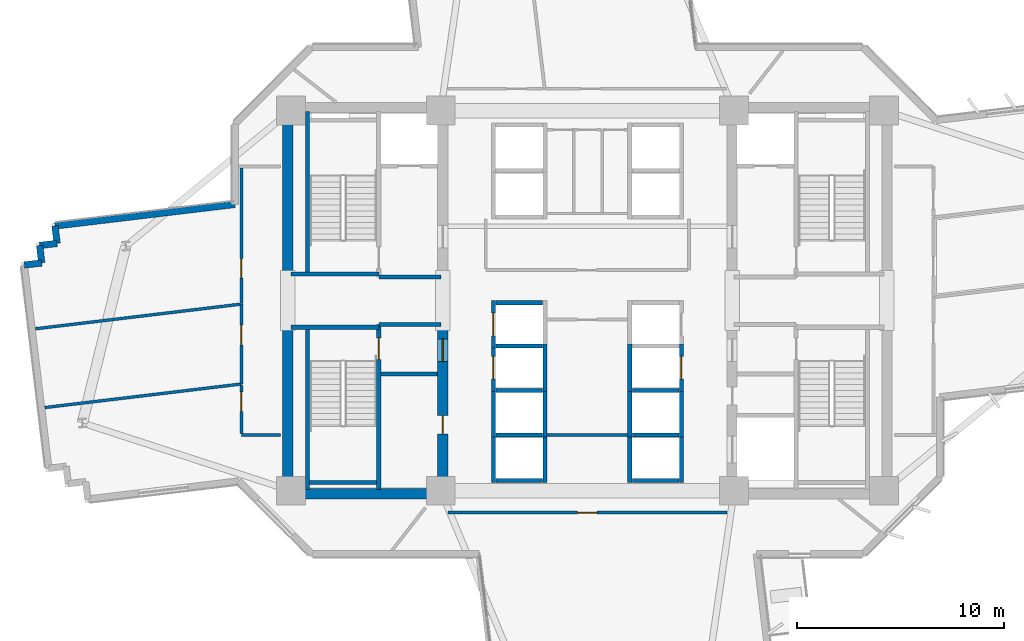
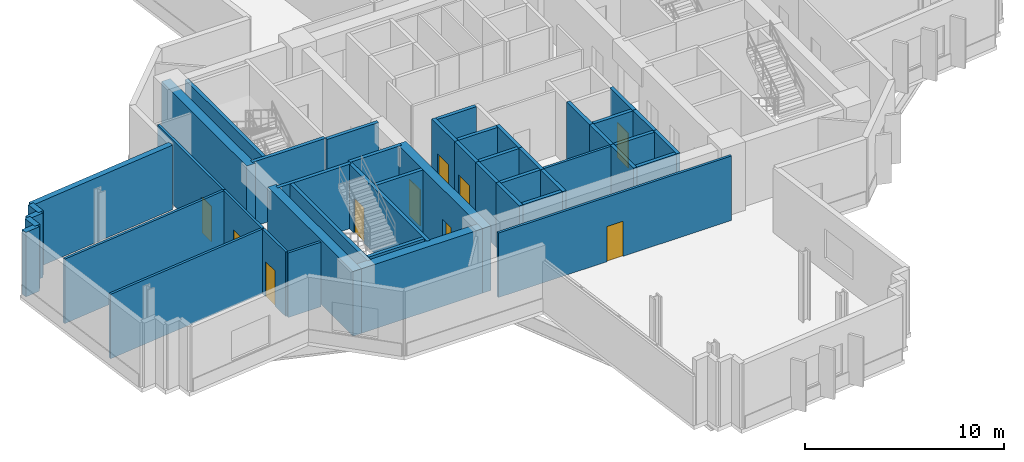
# One storey, part 6 of 15: 47 walls, 10 doors, 10 openings.
"""IFC4 building model written with IfcOpenShell, lengths in metres."""

from ifc_helpers import new_model, si_unit, direction, frame, frame_2d, origin, place, context, subcontext, project, spatial, rectangle, extrude, source, transform, mapped, material, layer, layer_set, type_object, element, fill, save


model = new_model("IFC4")

# Units and contexts
model_context = context("Model", 3, precision=1e-05, world=origin(), true_north=direction((0.0, 1.0)))
body_context = subcontext(model_context, "Body", "Model", "MODEL_VIEW")
ifc_project = project(units=[si_unit("LENGTHUNIT", "METRE"), si_unit("AREAUNIT", "SQUARE_METRE"), si_unit("VOLUMEUNIT", "CUBIC_METRE"), si_unit("PLANEANGLEUNIT", "RADIAN"), si_unit("MASSUNIT", "GRAM", prefix="KILO")], contexts=[model_context])

# Site, building, storey
site_placement = place(None, origin())
site = spatial("IfcSite", under=ifc_project, at=site_placement, CompositionType="ELEMENT")
building_placement = place(site_placement, origin())
building = spatial("IfcBuilding", under=site, at=building_placement, Name="Zahravan Cultural Tower", CompositionType="ELEMENT")
storey_placement = place(building_placement, frame((0.0, 0.0, 104.699951171875)))
storey = spatial("IfcBuildingStorey", under=building, at=storey_placement, Name="L23", CompositionType="ELEMENT", Elevation=104.699951171875)

# Wall, openings, doors
ifc_material_1 = material(Name="Concrete C60/75", Category="concrete")
ifc_layer_1 = layer(ifc_material_1, 0.5)
ifc_layer_set_1 = layer_set([ifc_layer_1], Name="Concrete C60/75")
wall_type_1 = type_object("IfcWallType", Name="CW-SHEAR-500-C60", PredefinedType="SHEAR", material=ifc_layer_set_1)
wall_1_placement = place(storey_placement, frame((29.0, 17.39990234375, 0.0), z_axis=(0.0, 0.0, 1.0), x_axis=(0.0, 1.0, 0.0)))
wall_1 = element("IfcWall", 1, at=wall_1_placement, inside=storey, type_object=wall_type_1, Name="L23 Core Shear Wall CW-W-ES-L23", PredefinedType="SHEAR", context=body_context, shape_type="SweptSolid", body=[
    extrude(rectangle(XDim=8.550048828125, YDim=0.5, at=frame_2d((4.27490234375, 0.0))), origin(), (0.0, 0.0, 1.0), 3.949951171875),
])
opening_1_placement = place(wall_1_placement, frame((6.64990234375, 0.0, 0.0)))
opening_1 = element("IfcOpeningElement", 2, at=opening_1_placement, cuts=wall_1, Name="Opening D-L23-07", PredefinedType="OPENING", context=body_context, shape_type="SweptSolid", body=[
    extrude(rectangle(XDim=1.10009765625, YDim=2.199951171875, at=frame_2d((0.550048828125, 1.10009765625))), frame((0.0, 0.260009765625, 0.0), z_axis=(0.0, -1.0, 0.0), x_axis=(1.0, 0.0, 0.0)), (0.0, 0.0, 1.0), 0.52001953125),
])
opening_2_placement = place(wall_1_placement, frame((3.14990234375, 0.0, 0.0)))
opening_2 = element("IfcOpeningElement", 3, at=opening_2_placement, cuts=wall_1, Name="Opening D-L23-09", PredefinedType="OPENING", context=body_context, shape_type="SweptSolid", body=[
    extrude(rectangle(XDim=0.8798828125, YDim=2.10009765625, at=frame_2d((0.43994140625, 1.050048828125))), frame((0.0, 0.260009765625, 0.0), z_axis=(0.0, -1.0, 0.0), x_axis=(1.0, 0.0, 0.0)), (0.0, 0.0, 1.0), 0.52001953125),
])
ifc_material_2 = material(Name="Steel ASTM A572 Grade 50", Category="steel")
door_type_1 = type_object("IfcDoorType", Name="DR-LOBBY-1100", OperationType="NOTDEFINED", PredefinedType="DOOR", material=ifc_material_2)
shared_shape_1 = source(origin(), body_context, "Body", "SweptSolid", [
    extrude(rectangle(XDim=1.10009765625, YDim=2.199951171875, at=frame_2d((0.550048828125, 1.10009765625))), frame((0.0, 0.02490234375, 0.0), z_axis=(0.0, -1.0, 0.0), x_axis=(1.0, 0.0, 0.0)), (0.0, 0.0, 1.0), 0.050048828125),
])
door_1_placement = place(opening_1_placement, origin())
door_1 = element("IfcDoor", 4, at=door_1_placement, inside=storey, type_object=door_type_1, Name="L23 Door D-L23-07", OperationType="SINGLE_SWING_RIGHT", OverallHeight=2.199951171875, OverallWidth=1.10009765625, PredefinedType="DOOR", context=body_context, shape_type="MappedRepresentation", body=[
    mapped(shared_shape_1, transform((0.0, 0.0, 0.0), x_axis=(1.0, 0.0, 0.0), y_axis=(0.0, 1.0, 0.0), z_axis=(0.0, 0.0, 1.0), scale=1.0)),
])
fill(opening_1, door_1)
door_type_2 = type_object("IfcDoorType", Name="DR-SVC-880", OperationType="NOTDEFINED", PredefinedType="DOOR", material=ifc_material_2)
shared_shape_2 = source(origin(), body_context, "Body", "SweptSolid", [
    extrude(rectangle(XDim=0.8798828125, YDim=2.10009765625, at=frame_2d((0.43994140625, 1.050048828125))), frame((0.0, 0.02490234375, 0.0), z_axis=(0.0, -1.0, 0.0), x_axis=(1.0, 0.0, 0.0)), (0.0, 0.0, 1.0), 0.050048828125),
])
door_2_placement = place(opening_2_placement, origin())
door_2 = element("IfcDoor", 5, at=door_2_placement, inside=storey, type_object=door_type_2, Name="L23 Door D-L23-09", OperationType="SINGLE_SWING_RIGHT", OverallHeight=2.10009765625, OverallWidth=0.8798828125, PredefinedType="DOOR", context=body_context, shape_type="MappedRepresentation", body=[
    mapped(shared_shape_2, transform((0.0, 0.0, 0.0), x_axis=(1.0, 0.0, 0.0), y_axis=(0.0, 1.0, 0.0), z_axis=(0.0, 0.0, 1.0), scale=1.0)),
])
fill(opening_2, door_2)

# Wall, opening, door
ifc_material_3 = material(Name="Gypsum plasterboard partition")
ifc_layer_2 = layer(ifc_material_3, 0.139892578125)
ifc_layer_set_2 = layer_set([ifc_layer_2], Name="Gypsum plasterboard partition")
wall_type_2 = type_object("IfcWallType", Name="W-PART-140", PredefinedType="PARTITIONING", material=ifc_layer_set_2)
wall_2_placement = place(storey_placement, frame((19.25, 26.833984375, 0.0), z_axis=(0.0, 0.0, 1.0), x_axis=(0.0, -1.0, 0.0)))
wall_2 = element("IfcWall", 6, at=wall_2_placement, inside=storey, type_object=wall_type_2, Name="L23 Interior Wall 082", PredefinedType="PARTITIONING", context=body_context, shape_type="SweptSolid", body=[
    extrude(rectangle(XDim=3.86767578125, YDim=0.139892578125, at=frame_2d((1.933837890625, 0.0))), origin(), (0.0, 0.0, 1.0), 3.949951171875),
])
opening_3_placement = place(wall_2_placement, frame((1.02099609375, 0.0, 0.0)))
opening_3 = element("IfcOpeningElement", 7, at=opening_3_placement, cuts=wall_2, Name="Opening D-L23-22", PredefinedType="OPENING", context=body_context, shape_type="SweptSolid", body=[
    extrude(rectangle(XDim=0.949951171875, YDim=2.14990234375, at=frame_2d((0.47509765625, 1.074951171875))), frame((0.0, 0.079833984375, 0.0), z_axis=(0.0, -1.0, 0.0), x_axis=(1.0, 0.0, 0.0)), (0.0, 0.0, 1.0), 0.159912109375),
])
ifc_material_4 = material(Name="Anodised bronze-aluminium mullion", Category="aluminium")
door_type_3 = type_object("IfcDoorType", Name="DR-ROOM-950", OperationType="NOTDEFINED", PredefinedType="DOOR", material=ifc_material_4)
shared_shape_3 = source(origin(), body_context, "Body", "SweptSolid", [
    extrude(rectangle(XDim=0.949951171875, YDim=2.14990234375, at=frame_2d((0.47509765625, 1.074951171875))), frame((0.0, 0.02490234375, 0.0), z_axis=(0.0, -1.0, 0.0), x_axis=(1.0, 0.0, 0.0)), (0.0, 0.0, 1.0), 0.050048828125),
])
door_3_placement = place(opening_3_placement, origin())
door_3 = element("IfcDoor", 8, at=door_3_placement, inside=storey, type_object=door_type_3, Name="L23 Door D-L23-22", OperationType="SINGLE_SWING_LEFT", OverallHeight=2.14990234375, OverallWidth=0.949951171875, PredefinedType="DOOR", context=body_context, shape_type="MappedRepresentation", body=[
    mapped(shared_shape_3, transform((0.0, 0.0, 0.0), x_axis=(1.0, 0.0, 0.0), y_axis=(0.0, 1.0, 0.0), z_axis=(0.0, 0.0, 1.0), scale=1.0)),
])
fill(opening_3, door_3)

wall_3_placement = place(storey_placement, frame((19.252685546875, 33.422607421875, 0.0), z_axis=(0.0, 0.0, 1.0), x_axis=(-0.000408845905, -0.999999916423, 0.0)))
wall_3 = element("IfcWall", 9, at=wall_3_placement, inside=storey, type_object=wall_type_2, Name="L23 Interior Wall 086", PredefinedType="PARTITIONING", context=body_context, shape_type="SweptSolid", body=[
    extrude(rectangle(XDim=6.568603515625, YDim=0.139892578125, at=frame_2d((3.2841796875, 0.0))), origin(), (0.0, 0.0, 1.0), 3.949951171875),
])
opening_4_placement = place(wall_3_placement, frame((4.38232421875, 0.0, 0.0)))
opening_4 = element("IfcOpeningElement", 10, at=opening_4_placement, cuts=wall_3, Name="Opening D-L23-21", PredefinedType="OPENING", context=body_context, shape_type="SweptSolid", body=[
    extrude(rectangle(XDim=0.949951171875, YDim=2.14990234375, at=frame_2d((0.47509765625, 1.074951171875))), frame((0.0, 0.079833984375, 0.0), z_axis=(0.0, -1.0, 0.0), x_axis=(1.0, 0.0, 0.0)), (0.0, 0.0, 1.0), 0.159912109375),
])
door_4_placement = place(opening_4_placement, origin())
door_4 = element("IfcDoor", 11, at=door_4_placement, inside=storey, type_object=door_type_3, Name="L23 Door D-L23-21", OperationType="SINGLE_SWING_RIGHT", OverallHeight=2.14990234375, OverallWidth=0.949951171875, PredefinedType="DOOR", context=body_context, shape_type="MappedRepresentation", body=[
    mapped(shared_shape_3, transform((0.0, 0.0, 0.0), x_axis=(1.0, 0.0, 0.0), y_axis=(0.0, 1.0, 0.0), z_axis=(0.0, 0.0, 1.0), scale=1.0)),
])
fill(opening_4, door_4)

wall_4_placement = place(storey_placement, frame((19.25, 22.890869140625, 0.0), z_axis=(0.0, 0.0, 1.0), x_axis=(0.001476168784, -0.999998910462, 0.0)))
wall_4 = element("IfcWall", 12, at=wall_4_placement, inside=storey, type_object=wall_type_2, Name="L23 Interior Wall 096", PredefinedType="PARTITIONING", context=body_context, shape_type="SweptSolid", body=[
    extrude(rectangle(XDim=2.3154296875, YDim=0.139892578125, at=frame_2d((1.15771484375, 0.0))), origin(), (0.0, 0.0, 1.0), 3.949951171875),
])
opening_5_placement = place(wall_4_placement, frame((0.30029296875, 0.0, 0.0)))
opening_5 = element("IfcOpeningElement", 13, at=opening_5_placement, cuts=wall_4, Name="Opening D-L23-23", PredefinedType="OPENING", context=body_context, shape_type="SweptSolid", body=[
    extrude(rectangle(XDim=0.949951171875, YDim=2.14990234375, at=frame_2d((0.47509765625, 1.074951171875))), frame((0.0, 0.079833984375, 0.0), z_axis=(0.0, -1.0, 0.0), x_axis=(1.0, 0.0, 0.0)), (0.0, 0.0, 1.0), 0.159912109375),
])
door_5_placement = place(opening_5_placement, origin())
door_5 = element("IfcDoor", 14, at=door_5_placement, inside=storey, type_object=door_type_3, Name="L23 Door D-L23-23", OperationType="SINGLE_SWING_RIGHT", OverallHeight=2.14990234375, OverallWidth=0.949951171875, PredefinedType="DOOR", context=body_context, shape_type="MappedRepresentation", body=[
    mapped(shared_shape_3, transform((0.0, 0.0, 0.0), x_axis=(1.0, 0.0, 0.0), y_axis=(0.0, 1.0, 0.0), z_axis=(0.0, 0.0, 1.0), scale=1.0)),
])
fill(opening_5, door_5)

wall_5_placement = place(storey_placement, frame((29.255859375, 16.739990234375, 0.0), z_axis=(0.0, 0.0, 1.0), x_axis=(1.0, 0.0, 0.0)))
wall_5 = element("IfcWall", 15, at=wall_5_placement, inside=storey, type_object=wall_type_2, Name="L23 Interior Wall 100", PredefinedType="PARTITIONING", context=body_context, shape_type="SweptSolid", body=[
    extrude(rectangle(XDim=13.48828125, YDim=0.139892578125, at=frame_2d((6.744140625, 0.0))), origin(), (0.0, 0.0, 1.0), 3.949951171875),
])
opening_6_placement = place(wall_5_placement, frame((6.26904296875, 0.0, 0.0)))
opening_6 = element("IfcOpeningElement", 16, at=opening_6_placement, cuts=wall_5, Name="Opening D-L23-24", PredefinedType="OPENING", context=body_context, shape_type="SweptSolid", body=[
    extrude(rectangle(XDim=0.949951171875, YDim=2.14990234375, at=frame_2d((0.47509765625, 1.074951171875))), frame((0.0, 0.079833984375, 0.0), z_axis=(0.0, -1.0, 0.0), x_axis=(1.0, 0.0, 0.0)), (0.0, 0.0, 1.0), 0.159912109375),
])
door_6_placement = place(opening_6_placement, origin())
door_6 = element("IfcDoor", 17, at=door_6_placement, inside=storey, type_object=door_type_3, Name="L23 Door D-L23-24", OperationType="SINGLE_SWING_LEFT", OverallHeight=2.14990234375, OverallWidth=0.949951171875, PredefinedType="DOOR", context=body_context, shape_type="MappedRepresentation", body=[
    mapped(shared_shape_3, transform((0.0, 0.0, 0.0), x_axis=(1.0, 0.0, 0.0), y_axis=(0.0, 1.0, 0.0), z_axis=(0.0, 0.0, 1.0), scale=1.0)),
])
fill(opening_6, door_6)

ifc_material_5 = material(Name="Concrete C45/55", Category="concrete")
ifc_layer_3 = layer(ifc_material_5, 0.199951171875)
ifc_layer_set_3 = layer_set([ifc_layer_3], Name="Concrete C45/55")
wall_type_3 = type_object("IfcWallType", Name="W-SHAFT-200", PredefinedType="SOLIDWALL", material=ifc_layer_set_3)
wall_6_placement = place(storey_placement, frame((25.89990234375, 17.85009765625, 0.0), z_axis=(0.0, 0.0, 1.0), x_axis=(0.0, 1.0, 0.0)))
wall_6 = element("IfcWall", 18, at=wall_6_placement, inside=storey, type_object=wall_type_3, Name="L23 Interior Wall 005", PredefinedType="SOLIDWALL", context=body_context, shape_type="SweptSolid", body=[
    extrude(rectangle(XDim=8.0, YDim=0.199951171875, at=frame_2d((4.0, 0.0))), origin(), (0.0, 0.0, 1.0), 3.949951171875),
])
opening_7_placement = place(wall_6_placement, frame((6.300048828125, 0.0, 0.0)))
opening_7 = element("IfcOpeningElement", 19, at=opening_7_placement, cuts=wall_6, Name="Opening D-L23-04", PredefinedType="OPENING", context=body_context, shape_type="SweptSolid", body=[
    extrude(rectangle(XDim=1.050048828125, YDim=2.14990234375, at=frame_2d((0.52490234375, 1.074951171875))), frame((0.0, 0.10986328125, 0.0), z_axis=(0.0, -1.0, 0.0), x_axis=(1.0, 0.0, 0.0)), (0.0, 0.0, 1.0), 0.219970703125),
])
door_type_4 = type_object("IfcDoorType", Name="DR-STAIR-1050", OperationType="NOTDEFINED", PredefinedType="DOOR", material=ifc_material_2)
shared_shape_4 = source(origin(), body_context, "Body", "SweptSolid", [
    extrude(rectangle(XDim=1.050048828125, YDim=2.14990234375, at=frame_2d((0.52490234375, 1.074951171875))), frame((0.0, 0.02490234375, 0.0), z_axis=(0.0, -1.0, 0.0), x_axis=(1.0, 0.0, 0.0)), (0.0, 0.0, 1.0), 0.050048828125),
])
door_7_placement = place(opening_7_placement, origin())
door_7 = element("IfcDoor", 20, at=door_7_placement, inside=storey, type_object=door_type_4, Name="L23 Door D-L23-04", OperationType="SINGLE_SWING_LEFT", OverallHeight=2.14990234375, OverallWidth=1.050048828125, PredefinedType="DOOR", context=body_context, shape_type="MappedRepresentation", body=[
    mapped(shared_shape_4, transform((0.0, 0.0, 0.0), x_axis=(1.0, 0.0, 0.0), y_axis=(0.0, 1.0, 0.0), z_axis=(0.0, 0.0, 1.0), scale=1.0)),
])
fill(opening_7, door_7)

wall_7_placement = place(storey_placement, frame((31.449951171875, 24.699951171875, 0.0), z_axis=(0.0, 0.0, 1.0), x_axis=(0.0, 1.0, 0.0)))
wall_7 = element("IfcWall", 21, at=wall_7_placement, inside=storey, type_object=wall_type_3, Name="L23 Interior Wall 054", PredefinedType="SOLIDWALL", context=body_context, shape_type="SweptSolid", body=[
    extrude(rectangle(XDim=2.300048828125, YDim=0.199951171875, at=frame_2d((1.14990234375, 0.0))), origin(), (0.0, 0.0, 1.0), 3.949951171875),
])
opening_8_placement = place(wall_7_placement, frame((0.60009765625, 0.0, 0.0)))
opening_8 = element("IfcOpeningElement", 22, at=opening_8_placement, cuts=wall_7, Name="Opening LD-L23-04", PredefinedType="OPENING", context=body_context, shape_type="SweptSolid", body=[
    extrude(rectangle(XDim=1.10009765625, YDim=2.14990234375, at=frame_2d((0.550048828125, 1.074951171875))), frame((0.0, 0.10986328125, 0.0), z_axis=(0.0, -1.0, 0.0), x_axis=(1.0, 0.0, 0.0)), (0.0, 0.0, 1.0), 0.219970703125),
])
door_type_5 = type_object("IfcDoorType", Name="DR-LIFT-1100", OperationType="DOUBLE_DOOR_SLIDING", PredefinedType="DOOR", material=ifc_material_2)
shared_shape_5 = source(origin(), body_context, "Body", "SweptSolid", [
    extrude(rectangle(XDim=1.10009765625, YDim=2.14990234375, at=frame_2d((0.550048828125, 1.074951171875))), frame((0.0, 0.02490234375, 0.0), z_axis=(0.0, -1.0, 0.0), x_axis=(1.0, 0.0, 0.0)), (0.0, 0.0, 1.0), 0.050048828125),
])
door_8_placement = place(opening_8_placement, origin())
door_8 = element("IfcDoor", 23, at=door_8_placement, inside=storey, type_object=door_type_5, Name="L23 Door LD-L23-04", OperationType="DOUBLE_DOOR_SLIDING", OverallHeight=2.14990234375, OverallWidth=1.10009765625, PredefinedType="DOOR", context=body_context, shape_type="MappedRepresentation", body=[
    mapped(shared_shape_5, transform((0.0, 0.0, 0.0), x_axis=(1.0, 0.0, 0.0), y_axis=(0.0, 1.0, 0.0), z_axis=(0.0, 0.0, 1.0), scale=1.0)),
])
fill(opening_8, door_8)

wall_8_placement = place(storey_placement, frame((31.449951171875, 22.60009765625, 0.0), z_axis=(0.0, 0.0, 1.0), x_axis=(0.0, 1.0, 0.0)))
wall_8 = element("IfcWall", 24, at=wall_8_placement, inside=storey, type_object=wall_type_3, Name="L23 Interior Wall 058", PredefinedType="SOLIDWALL", context=body_context, shape_type="SweptSolid", body=[
    extrude(rectangle(XDim=2.2998046875, YDim=0.199951171875, at=frame_2d((1.14990234375, 0.0))), origin(), (0.0, 0.0, 1.0), 3.949951171875),
])
opening_9_placement = place(wall_8_placement, frame((0.60009765625, 0.0, 0.0)))
opening_9 = element("IfcOpeningElement", 25, at=opening_9_placement, cuts=wall_8, Name="Opening LD-L23-05", PredefinedType="OPENING", context=body_context, shape_type="SweptSolid", body=[
    extrude(rectangle(XDim=1.10009765625, YDim=2.14990234375, at=frame_2d((0.550048828125, 1.074951171875))), frame((0.0, 0.10986328125, 0.0), z_axis=(0.0, -1.0, 0.0), x_axis=(1.0, 0.0, 0.0)), (0.0, 0.0, 1.0), 0.219970703125),
])
door_9_placement = place(opening_9_placement, origin())
door_9 = element("IfcDoor", 26, at=door_9_placement, inside=storey, type_object=door_type_5, Name="L23 Door LD-L23-05", OperationType="DOUBLE_DOOR_SLIDING", OverallHeight=2.14990234375, OverallWidth=1.10009765625, PredefinedType="DOOR", context=body_context, shape_type="MappedRepresentation", body=[
    mapped(shared_shape_5, transform((0.0, 0.0, 0.0), x_axis=(1.0, 0.0, 0.0), y_axis=(0.0, 1.0, 0.0), z_axis=(0.0, 0.0, 1.0), scale=1.0)),
])
fill(opening_9, door_9)

wall_9_placement = place(storey_placement, frame((40.550048828125, 22.60009765625, 0.0), z_axis=(0.0, 0.0, 1.0), x_axis=(0.0, 1.0, 0.0)))
wall_9 = element("IfcWall", 27, at=wall_9_placement, inside=storey, type_object=wall_type_3, Name="L23 Interior Wall 065", PredefinedType="SOLIDWALL", context=body_context, shape_type="SweptSolid", body=[
    extrude(rectangle(XDim=2.2998046875, YDim=0.199951171875, at=frame_2d((1.14990234375, 0.0))), origin(), (0.0, 0.0, 1.0), 3.949951171875),
])
opening_10_placement = place(wall_9_placement, frame((0.60009765625, 0.0, 0.0)))
opening_10 = element("IfcOpeningElement", 28, at=opening_10_placement, cuts=wall_9, Name="Opening LD-L23-07", PredefinedType="OPENING", context=body_context, shape_type="SweptSolid", body=[
    extrude(rectangle(XDim=1.10009765625, YDim=2.14990234375, at=frame_2d((0.550048828125, 1.074951171875))), frame((0.0, 0.10986328125, 0.0), z_axis=(0.0, -1.0, 0.0), x_axis=(1.0, 0.0, 0.0)), (0.0, 0.0, 1.0), 0.219970703125),
])
door_10_placement = place(opening_10_placement, origin())
door_10 = element("IfcDoor", 29, at=door_10_placement, inside=storey, type_object=door_type_5, Name="L23 Door LD-L23-07", OperationType="DOUBLE_DOOR_SLIDING", OverallHeight=2.14990234375, OverallWidth=1.10009765625, PredefinedType="DOOR", context=body_context, shape_type="MappedRepresentation", body=[
    mapped(shared_shape_5, transform((0.0, 0.0, 0.0), x_axis=(1.0, 0.0, 0.0), y_axis=(0.0, 1.0, 0.0), z_axis=(0.0, 0.0, 1.0), scale=1.0)),
])
fill(opening_10, door_10)

# Walls
shared_shape_6 = source(origin(), body_context, "Body", "SweptSolid", [
    extrude(rectangle(XDim=8.550048828125, YDim=0.5, at=frame_2d((4.27490234375, 0.0))), origin(), (0.0, 0.0, 1.0), 3.949951171875),
])
for number, where, z_axis, x_axis, name in (
    (30, (21.5, 17.39990234375, 0.0), (0.0, 0.0, 1.0), (0.0, 1.0, 0.0), "L23 Core Shear Wall CW-W-WS-L23"),
    (31, (21.5, 28.050048828125, 0.0), (0.0, 0.0, 1.0), (0.0, 1.0, 0.0), "L23 Core Shear Wall CW-W-WN-L23"),
):
    element("IfcWall", number, at=place(storey_placement, frame(where, z_axis=z_axis, x_axis=x_axis)), inside=storey, type_object=wall_type_1, Name=name, PredefinedType="SHEAR", context=body_context, shape_type="MappedRepresentation", body=[
        mapped(shared_shape_6, transform((0.0, 0.0, 0.0), x_axis=(1.0, 0.0, 0.0), y_axis=(0.0, 1.0, 0.0), z_axis=(0.0, 0.0, 1.0), scale=1.0)),
    ])
shared_shape_7 = source(origin(), body_context, "Body", "SweptSolid", [
    extrude(rectangle(XDim=7.0, YDim=0.5, at=frame_2d((3.5, 0.0))), origin(), (0.0, 0.0, 1.0), 3.949951171875),
])
wall_10_placement = place(storey_placement, frame((21.75, 17.64990234375, 0.0), z_axis=(0.0, 0.0, 1.0), x_axis=(1.0, 0.0, 0.0)))
element("IfcWall", 32, at=wall_10_placement, inside=storey, type_object=wall_type_1, Name="L23 Core Shear Wall CW-W-S-L23", PredefinedType="SHEAR", context=body_context, shape_type="MappedRepresentation", body=[
    mapped(shared_shape_7, transform((0.0, 0.0, 0.0), x_axis=(1.0, 0.0, 0.0), y_axis=(0.0, 1.0, 0.0), z_axis=(0.0, 0.0, 1.0), scale=1.0)),
])
ifc_material_6 = material(Name="Precast concrete C40/50", Category="concrete")
ifc_layer_4 = layer(ifc_material_6, 0.320068359375)
ifc_layer_set_4 = layer_set([ifc_layer_4], Name="Precast concrete C40/50")
wall_type_4 = type_object("IfcWallType", Name="EW-TC-320", PredefinedType="SOLIDWALL", material=ifc_layer_set_4)
shared_shape_8 = source(origin(), body_context, "Body", "SweptSolid", [
    extrude(rectangle(XDim=0.85009765625, YDim=0.320068359375, at=frame_2d((0.425048828125, 0.0))), origin(), (0.0, 0.0, 1.0), 3.949951171875),
])
for number, where, z_axis, x_axis, name in (
    (33, (8.740478515625, 28.725830078125, 0.0), (0.0, 0.0, 1.0), (0.992905350382, 0.118907380694, 0.0), "L23 Exterior Masonry Frame Wall 33"),
    (34, (9.58447265625, 28.826904296875, 0.0), (0.0, 0.0, 1.0), (-0.119190521137, 0.992871401376, 0.0), "L23 Exterior Masonry Frame Wall 34"),
    (35, (9.483154296875, 29.6708984375, 0.0), (0.0, 0.0, 1.0), (0.992871401376, 0.119190521137, 0.0), "L23 Exterior Masonry Frame Wall 35"),
    (36, (10.3271484375, 29.772216796875, 0.0), (0.0, 0.0, 1.0), (-0.119190521137, 0.992871401376, 0.0), "L23 Exterior Masonry Frame Wall 36"),
):
    element("IfcWall", number, at=place(storey_placement, frame(where, z_axis=z_axis, x_axis=x_axis)), inside=storey, type_object=wall_type_4, Name=name, PredefinedType="SOLIDWALL", context=body_context, shape_type="MappedRepresentation", body=[
        mapped(shared_shape_8, transform((0.0, 0.0, 0.0), x_axis=(1.0, 0.0, 0.0), y_axis=(0.0, 1.0, 0.0), z_axis=(0.0, 0.0, 1.0), scale=1.0)),
    ])
shared_shape_9 = source(origin(), body_context, "Body", "SweptSolid", [
    extrude(rectangle(XDim=8.776611328125, YDim=0.320068359375, at=frame_2d((4.38818359375, 0.0))), origin(), (0.0, 0.0, 1.0), 3.949951171875),
])
wall_11_placement = place(storey_placement, frame((10.225830078125, 30.6162109375, 0.0), z_axis=(0.0, 0.0, 1.0), x_axis=(0.992883944618, 0.119085987922, 0.0)))
element("IfcWall", 37, at=wall_11_placement, inside=storey, type_object=wall_type_4, Name="L23 Exterior Masonry Frame Wall 37", PredefinedType="SOLIDWALL", context=body_context, shape_type="MappedRepresentation", body=[
    mapped(shared_shape_9, transform((0.0, 0.0, 0.0), x_axis=(1.0, 0.0, 0.0), y_axis=(0.0, 1.0, 0.0), z_axis=(0.0, 0.0, 1.0), scale=1.0)),
])
shared_shape_10 = source(origin(), body_context, "Body", "SweptSolid", [
    extrude(rectangle(XDim=7.869873046875, YDim=0.199951171875, at=frame_2d((3.93505859375, 0.0))), origin(), (0.0, 0.0, 1.0), 3.949951171875),
])
for number, where, z_axis, x_axis, name in (
    (38, (22.449951171875, 17.85009765625, 0.0), (0.0, 0.0, 1.0), (0.0, 1.0, 0.0), "L23 Interior Wall 001"),
    (39, (22.449951171875, 28.280029296875, 0.0), (0.0, 0.0, 1.0), (0.0, 1.0, 0.0), "L23 Interior Wall 002"),
):
    element("IfcWall", number, at=place(storey_placement, frame(where, z_axis=z_axis, x_axis=x_axis)), inside=storey, type_object=wall_type_3, Name=name, PredefinedType="SOLIDWALL", context=body_context, shape_type="MappedRepresentation", body=[
        mapped(shared_shape_10, transform((0.0, 0.0, 0.0), x_axis=(1.0, 0.0, 0.0), y_axis=(0.0, 1.0, 0.0), z_axis=(0.0, 0.0, 1.0), scale=1.0)),
    ])
shared_shape_11 = source(origin(), body_context, "Body", "SweptSolid", [
    extrude(rectangle(XDim=4.25, YDim=0.199951171875, at=frame_2d((2.125, 0.0))), origin(), (0.0, 0.0, 1.0), 3.949951171875),
])
for number, where, z_axis, x_axis, name in (
    (40, (21.64990234375, 25.715087890625, 0.0), (0.0, 0.0, 1.0), (1.0, 0.0, 0.0), "L23 Interior Wall 009"),
    (41, (21.64990234375, 28.284912109375, 0.0), (0.0, 0.0, 1.0), (1.0, 0.0, 0.0), "L23 Interior Wall 011"),
):
    element("IfcWall", number, at=place(storey_placement, frame(where, z_axis=z_axis, x_axis=x_axis)), inside=storey, type_object=wall_type_3, Name=name, PredefinedType="SOLIDWALL", context=body_context, shape_type="MappedRepresentation", body=[
        mapped(shared_shape_11, transform((0.0, 0.0, 0.0), x_axis=(1.0, 0.0, 0.0), y_axis=(0.0, 1.0, 0.0), z_axis=(0.0, 0.0, 1.0), scale=1.0)),
    ])
shared_shape_12 = source(origin(), body_context, "Body", "SweptSolid", [
    extrude(rectangle(XDim=3.0, YDim=0.199951171875, at=frame_2d((1.5, 0.0))), origin(), (0.0, 0.0, 1.0), 3.949951171875),
])
for number, where, z_axis, x_axis, name in (
    (42, (25.89990234375, 25.85009765625, 0.0), (0.0, 0.0, 1.0), (1.0, 0.0, 0.0), "L23 Interior Wall 010"),
    (43, (25.89990234375, 28.14990234375, 0.0), (0.0, 0.0, 1.0), (1.0, 0.0, 0.0), "L23 Interior Wall 012"),
):
    element("IfcWall", number, at=place(storey_placement, frame(where, z_axis=z_axis, x_axis=x_axis)), inside=storey, type_object=wall_type_3, Name=name, PredefinedType="SOLIDWALL", context=body_context, shape_type="MappedRepresentation", body=[
        mapped(shared_shape_12, transform((0.0, 0.0, 0.0), x_axis=(1.0, 0.0, 0.0), y_axis=(0.0, 1.0, 0.0), z_axis=(0.0, 0.0, 1.0), scale=1.0)),
    ])
shared_shape_13 = source(origin(), body_context, "Body", "SweptSolid", [
    extrude(rectangle(XDim=3.25, YDim=0.199951171875, at=frame_2d((1.625, 0.0))), origin(), (0.0, 0.0, 1.0), 3.949951171875),
])
wall_12_placement = place(storey_placement, frame((22.550048828125, 18.199951171875, 0.0), z_axis=(0.0, 0.0, 1.0), x_axis=(1.0, 0.0, 0.0)))
element("IfcWall", 44, at=wall_12_placement, inside=storey, type_object=wall_type_3, Name="L23 Interior Wall 019", PredefinedType="SOLIDWALL", context=body_context, shape_type="MappedRepresentation", body=[
    mapped(shared_shape_13, transform((0.0, 0.0, 0.0), x_axis=(1.0, 0.0, 0.0), y_axis=(0.0, 1.0, 0.0), z_axis=(0.0, 0.0, 1.0), scale=1.0)),
])
shared_shape_14 = source(origin(), body_context, "Body", "SweptSolid", [
    extrude(rectangle(XDim=2.75, YDim=0.199951171875, at=frame_2d((1.375, 0.0))), origin(), (0.0, 0.0, 1.0), 3.949951171875),
])
wall_13_placement = place(storey_placement, frame((26.0, 23.449951171875, 0.0), z_axis=(0.0, 0.0, 1.0), x_axis=(1.0, 0.0, 0.0)))
element("IfcWall", 45, at=wall_13_placement, inside=storey, type_object=wall_type_3, Name="L23 Interior Wall 023", PredefinedType="SOLIDWALL", context=body_context, shape_type="MappedRepresentation", body=[
    mapped(shared_shape_14, transform((0.0, 0.0, 0.0), x_axis=(1.0, 0.0, 0.0), y_axis=(0.0, 1.0, 0.0), z_axis=(0.0, 0.0, 1.0), scale=1.0)),
])
shared_shape_15 = source(origin(), body_context, "Body", "SweptSolid", [
    extrude(rectangle(XDim=2.260009765625, YDim=0.199951171875, at=frame_2d((1.1298828125, 0.0))), origin(), (0.0, 0.0, 1.0), 3.949951171875),
])
for number, where, z_axis, x_axis, name in (
    (46, (31.570068359375, 20.5, 0.0), (0.0, 0.0, 1.0), (1.0, 0.0, 0.0), "L23 Interior Wall 042"),
    (47, (31.570068359375, 22.64990234375, 0.0), (0.0, 0.0, 1.0), (1.0, 0.0, 0.0), "L23 Interior Wall 043"),
    (48, (31.570068359375, 18.300048828125, 0.0), (0.0, 0.0, 1.0), (1.0, 0.0, 0.0), "L23 Interior Wall 046"),
    (49, (38.169921875, 20.5, 0.0), (0.0, 0.0, 1.0), (1.0, 0.0, 0.0), "L23 Interior Wall 049"),
    (50, (38.169921875, 22.64990234375, 0.0), (0.0, 0.0, 1.0), (1.0, 0.0, 0.0), "L23 Interior Wall 050"),
    (51, (38.169921875, 18.300048828125, 0.0), (0.0, 0.0, 1.0), (1.0, 0.0, 0.0), "L23 Interior Wall 053"),
    (52, (31.570068359375, 24.800048828125, 0.0), (0.0, 0.0, 1.0), (1.0, 0.0, 0.0), "L23 Interior Wall 056"),
    (53, (31.570068359375, 26.89990234375, 0.0), (0.0, 0.0, 1.0), (1.0, 0.0, 0.0), "L23 Interior Wall 057"),
):
    element("IfcWall", number, at=place(storey_placement, frame(where, z_axis=z_axis, x_axis=x_axis)), inside=storey, type_object=wall_type_3, Name=name, PredefinedType="SOLIDWALL", context=body_context, shape_type="MappedRepresentation", body=[
        mapped(shared_shape_15, transform((0.0, 0.0, 0.0), x_axis=(1.0, 0.0, 0.0), y_axis=(0.0, 1.0, 0.0), z_axis=(0.0, 0.0, 1.0), scale=1.0)),
    ])
shared_shape_16 = source(origin(), body_context, "Body", "SweptSolid", [
    extrude(rectangle(XDim=2.35009765625, YDim=0.199951171875, at=frame_2d((1.175048828125, 0.0))), origin(), (0.0, 0.0, 1.0), 3.949951171875),
])
for number, where, z_axis, x_axis, name in (
    (54, (31.449951171875, 20.39990234375, 0.0), (0.0, 0.0, 1.0), (0.0, 1.0, 0.0), "L23 Interior Wall 040"),
    (55, (33.949951171875, 20.39990234375, 0.0), (0.0, 0.0, 1.0), (0.0, 1.0, 0.0), "L23 Interior Wall 041"),
    (56, (31.449951171875, 18.199951171875, 0.0), (0.0, 0.0, 1.0), (0.0, 1.0, 0.0), "L23 Interior Wall 044"),
    (57, (33.949951171875, 18.199951171875, 0.0), (0.0, 0.0, 1.0), (0.0, 1.0, 0.0), "L23 Interior Wall 045"),
    (58, (38.050048828125, 20.39990234375, 0.0), (0.0, 0.0, 1.0), (0.0, 1.0, 0.0), "L23 Interior Wall 047"),
    (59, (40.550048828125, 20.39990234375, 0.0), (0.0, 0.0, 1.0), (0.0, 1.0, 0.0), "L23 Interior Wall 048"),
    (60, (38.050048828125, 18.199951171875, 0.0), (0.0, 0.0, 1.0), (0.0, 1.0, 0.0), "L23 Interior Wall 051"),
    (61, (40.550048828125, 18.199951171875, 0.0), (0.0, 0.0, 1.0), (0.0, 1.0, 0.0), "L23 Interior Wall 052"),
):
    element("IfcWall", number, at=place(storey_placement, frame(where, z_axis=z_axis, x_axis=x_axis)), inside=storey, type_object=wall_type_3, Name=name, PredefinedType="SOLIDWALL", context=body_context, shape_type="MappedRepresentation", body=[
        mapped(shared_shape_16, transform((0.0, 0.0, 0.0), x_axis=(1.0, 0.0, 0.0), y_axis=(0.0, 1.0, 0.0), z_axis=(0.0, 0.0, 1.0), scale=1.0)),
    ])
shared_shape_17 = source(origin(), body_context, "Body", "SweptSolid", [
    extrude(rectangle(XDim=2.2998046875, YDim=0.199951171875, at=frame_2d((1.14990234375, 0.0))), origin(), (0.0, 0.0, 1.0), 3.949951171875),
])
for number, where, z_axis, x_axis, name in (
    (62, (33.949951171875, 22.60009765625, 0.0), (0.0, 0.0, 1.0), (0.0, 1.0, 0.0), "L23 Interior Wall 059"),
    (63, (38.050048828125, 22.60009765625, 0.0), (0.0, 0.0, 1.0), (0.0, 1.0, 0.0), "L23 Interior Wall 064"),
):
    element("IfcWall", number, at=place(storey_placement, frame(where, z_axis=z_axis, x_axis=x_axis)), inside=storey, type_object=wall_type_3, Name=name, PredefinedType="SOLIDWALL", context=body_context, shape_type="MappedRepresentation", body=[
        mapped(shared_shape_17, transform((0.0, 0.0, 0.0), x_axis=(1.0, 0.0, 0.0), y_axis=(0.0, 1.0, 0.0), z_axis=(0.0, 0.0, 1.0), scale=1.0)),
    ])
shared_shape_18 = source(origin(), body_context, "Body", "SweptSolid", [
    extrude(rectangle(XDim=3.89013671875, YDim=0.139892578125, at=frame_2d((1.945068359375, 0.0))), origin(), (0.0, 0.0, 1.0), 3.949951171875),
])
wall_14_placement = place(storey_placement, frame((37.945068359375, 20.489990234375, 0.0), z_axis=(0.0, 0.0, 1.0), x_axis=(-1.0, 0.0, 0.0)))
element("IfcWall", 64, at=wall_14_placement, inside=storey, type_object=wall_type_2, Name="L23 Interior Wall 075", PredefinedType="PARTITIONING", context=body_context, shape_type="MappedRepresentation", body=[
    mapped(shared_shape_18, transform((0.0, 0.0, 0.0), x_axis=(1.0, 0.0, 0.0), y_axis=(0.0, 1.0, 0.0), z_axis=(0.0, 0.0, 1.0), scale=1.0)),
])
shared_shape_19 = source(origin(), body_context, "Body", "SweptSolid", [
    extrude(rectangle(XDim=9.583740234375, YDim=0.139892578125, at=frame_2d((4.7919921875, 0.0))), origin(), (0.0, 0.0, 1.0), 3.949951171875),
])
wall_15_placement = place(storey_placement, frame((19.25, 22.96630859375, 0.0), z_axis=(0.0, 0.0, 1.0), x_axis=(-0.992883225705, -0.119091981737, 0.0)))
element("IfcWall", 65, at=wall_15_placement, inside=storey, type_object=wall_type_2, Name="L23 Interior Wall 083", PredefinedType="PARTITIONING", context=body_context, shape_type="MappedRepresentation", body=[
    mapped(shared_shape_19, transform((0.0, 0.0, 0.0), x_axis=(1.0, 0.0, 0.0), y_axis=(0.0, 1.0, 0.0), z_axis=(0.0, 0.0, 1.0), scale=1.0)),
])
shared_shape_20 = source(origin(), body_context, "Body", "SweptSolid", [
    extrude(rectangle(XDim=9.968994140625, YDim=0.139892578125, at=frame_2d((4.984375, 0.0))), origin(), (0.0, 0.0, 1.0), 3.949951171875),
])
wall_16_placement = place(storey_placement, frame((9.277099609375, 25.6376953125, 0.0), z_axis=(0.0, 0.0, 1.0), x_axis=(0.992882747367, 0.119095969623, 0.0)))
element("IfcWall", 66, at=wall_16_placement, inside=storey, type_object=wall_type_2, Name="L23 Interior Wall 084", PredefinedType="PARTITIONING", context=body_context, shape_type="MappedRepresentation", body=[
    mapped(shared_shape_20, transform((0.0, 0.0, 0.0), x_axis=(1.0, 0.0, 0.0), y_axis=(0.0, 1.0, 0.0), z_axis=(0.0, 0.0, 1.0), scale=1.0)),
])
shared_shape_21 = source(origin(), body_context, "Body", "SweptSolid", [
    extrude(rectangle(XDim=1.89599609375, YDim=0.139892578125, at=frame_2d((0.947998046875, 0.0))), origin(), (0.0, 0.0, 1.0), 3.949951171875),
])
wall_17_placement = place(storey_placement, frame((19.25341796875, 20.50048828125, 0.0), z_axis=(0.0, 0.0, 1.0), x_axis=(0.999998598926, 0.001673961085, 0.0)))
element("IfcWall", 67, at=wall_17_placement, inside=storey, type_object=wall_type_2, Name="L23 Interior Wall 094", PredefinedType="PARTITIONING", context=body_context, shape_type="MappedRepresentation", body=[
    mapped(shared_shape_21, transform((0.0, 0.0, 0.0), x_axis=(1.0, 0.0, 0.0), y_axis=(0.0, 1.0, 0.0), z_axis=(0.0, 0.0, 1.0), scale=1.0)),
])

save(model, "model.ifc")
